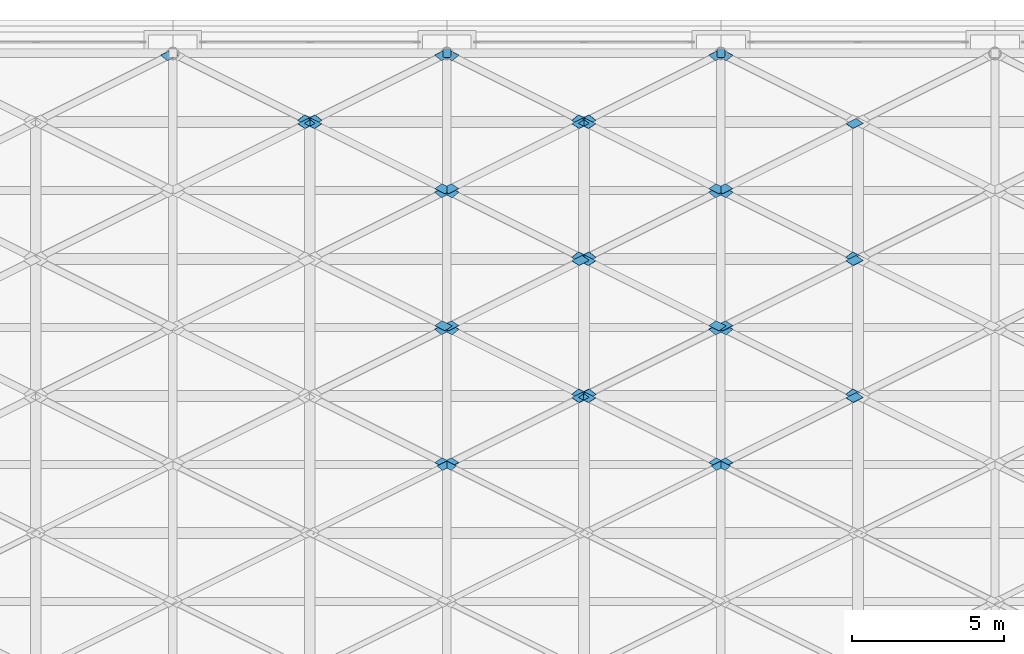
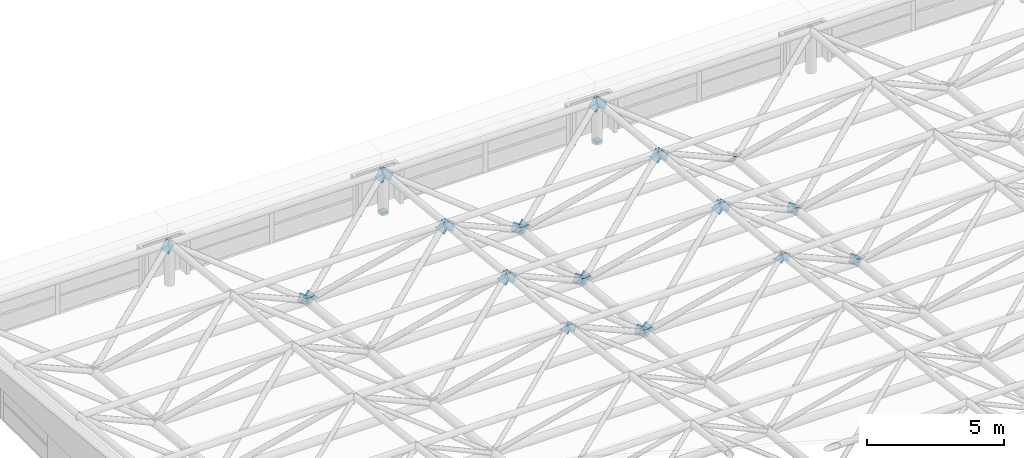
# One storey, part 38 of 53: 52 discrete accessories.
"""IFC4 building model written with IfcOpenShell, lengths in metres."""

from ifc_helpers import new_model, si_unit, direction, frame, origin, origin_2d, place, context, subcontext, project, spatial, polyline, rectangle, outline, extrude, material, layer, layer_set, type_object, element, save


model = new_model("IFC4")

# Units and contexts
model_context = context("Model", 3, precision=1e-05, world=origin(), true_north=direction((0.0, 1.0)))
body_context = subcontext(model_context, "Body", "Model", "MODEL_VIEW")
ifc_project = project(units=[si_unit("LENGTHUNIT", "METRE"), si_unit("AREAUNIT", "SQUARE_METRE"), si_unit("VOLUMEUNIT", "CUBIC_METRE"), si_unit("PLANEANGLEUNIT", "RADIAN"), si_unit("MASSUNIT", "GRAM", prefix="KILO")], contexts=[model_context])

# Site, building, storey
site_placement = place(None, origin())
site = spatial("IfcSite", under=ifc_project, at=site_placement, CompositionType="ELEMENT")
building_placement = place(site_placement, origin())
building = spatial("IfcBuilding", under=site, at=building_placement, Name="Aravalli Gate Trade Fair Centre", CompositionType="ELEMENT")
storey_placement = place(building_placement, frame((0.0, 0.0, 25.199951171875)))
storey = spatial("IfcBuildingStorey", under=building, at=storey_placement, Name="ROOF LEVEL 2", CompositionType="ELEMENT", Elevation=25.199951171875)

# Discrete accessories
ifc_material = material(Name="Steel E350", Category="steel")
discrete_accessory_type_1 = type_object("IfcDiscreteAccessoryType", Name="Bearing shoe sliding along the vault", PredefinedType="BRACKET", material=ifc_material)
for number, where, z_axis, x_axis, name in (
    (1, (24.0, 109.0, 0.0), (0.0, 0.0, 1.0), (1.0, 0.0, 0.0), "Bearing shoe H3 (sliding)"),
    (2, (33.0, 109.0, 0.0), (0.0, 0.0, 1.0), (1.0, 0.0, 0.0), "Bearing shoe H4 (sliding)"),
):
    element("IfcDiscreteAccessory", number, at=place(storey_placement, frame(where, z_axis=z_axis, x_axis=x_axis)), inside=storey, type_object=discrete_accessory_type_1, Name=name, PredefinedType="BRACKET", context=body_context, shape_type="SweptSolid", body=[
        extrude(rectangle(XDim=0.260009765625, YDim=0.260009765625, at=origin_2d()), origin(), (0.0, 0.0, 1.0), 0.10009765625),
    ])
ifc_layer_1 = layer(ifc_material, 0.011962890625)
ifc_layer_set_1 = layer_set([ifc_layer_1], Name="Steel E350")
discrete_accessory_type_2 = type_object("IfcDiscreteAccessoryType", Name="Gusset plate 291 x 291 x 12", PredefinedType="USERDEFINED", material=ifc_layer_set_1)
for number, where, z_axis, x_axis, name in (
    (3, (24.138916015625, 95.308349609375, 2.92724609375), (-6.9765199e-05, -0.771154883137, 0.636647580178), (-0.786484474244, 0.393242254842, 0.476238071536), "Gusset plate Space frame web diagonal D5C end A"),
    (4, (33.138916015625, 95.308349609375, 2.92724609375), (-6.9765199e-05, -0.771154883137, 0.636647580178), (-0.786484474244, 0.393242254842, 0.476238071536), "Gusset plate Space frame web diagonal D5C end A"),
):
    element("IfcDiscreteAccessory", number, at=place(storey_placement, frame(where, z_axis=z_axis, x_axis=x_axis)), inside=storey, type_object=discrete_accessory_type_2, Name=name, ObjectType="GUSSET PLATE", PredefinedType="USERDEFINED", context=body_context, shape_type="SweptSolid", body=[
        extrude(outline(polyline([(0.0, 0.0), (0.37064165383501635, 1.3877787807814457e-17), (0.3706783195979393, -0.29059144692340316), (0.00022867857401766278, -0.2904406632211646), (0.0, 0.0)])), origin(), (0.0, 0.0, -1.0), 0.011962890625),
    ])
for number, where, z_axis, x_axis, name in (
    (5, (23.681884765625, 95.453857421875, 3.103515625), (6.9765199e-05, -0.771154883137, 0.636647580178), (0.786233023991, 0.393446013556, 0.476484906794), "Gusset plate Space frame web diagonal D5D end A"),
    (6, (32.681884765625, 95.453857421875, 3.103515625), (6.9765199e-05, -0.771154883137, 0.636647580178), (0.786233023991, 0.393446013556, 0.476484906794), "Gusset plate Space frame web diagonal D5D end A"),
):
    element("IfcDiscreteAccessory", number, at=place(storey_placement, frame(where, z_axis=z_axis, x_axis=x_axis)), inside=storey, type_object=discrete_accessory_type_2, Name=name, ObjectType="GUSSET PLATE", PredefinedType="USERDEFINED", context=body_context, shape_type="SweptSolid", body=[
        extrude(outline(polyline([(0.0, 0.0), (0.37044967171058096, -2.7755575615628914e-17), (0.3702947268495056, -0.290591407927876), (-0.0003468962829482891, -0.29044054608337494), (0.0, 0.0)])), origin(), (0.0, 0.0, -1.0), 0.011962890625),
    ])
ifc_layer_2 = layer(ifc_material, 0.011962890625)
ifc_layer_set_2 = layer_set([ifc_layer_2], Name="Steel E350")
discrete_accessory_type_3 = type_object("IfcDiscreteAccessoryType", Name="Gusset plate 367 x 367 x 12", PredefinedType="USERDEFINED", material=ifc_layer_set_2)
discrete_accessory_1_placement = place(storey_placement, frame((24.155517578125, 95.721923828125, 2.84228515625), z_axis=(-5.6748583e-05, 0.820281851296, 0.571959510117), x_axis=(-0.752910033129, -0.376455016564, 0.539822287904)))
element("IfcDiscreteAccessory", 7, at=discrete_accessory_1_placement, inside=storey, type_object=discrete_accessory_type_3, Name="Gusset plate Space frame web diagonal D6A end A", ObjectType="GUSSET PLATE", PredefinedType="USERDEFINED", context=body_context, shape_type="SweptSolid", body=[
    extrude(outline(polyline([(0.0, 0.0), (0.44683397278152426, -2.7755575615628914e-17), (0.44699177701993154, 0.3666937395408909), (0.0001578042384072914, 0.3666937395408909), (0.0, 0.0)])), origin(), (0.0, 0.0, -1.0), 0.011962890625),
])
discrete_accessory_2_placement = place(storey_placement, frame((28.103271484375, 97.69580078125, 0.01318359375), z_axis=(-5.6748583e-05, 0.820281851296, 0.571959510117), x_axis=(0.752910033129, 0.376455016564, -0.539822287904)))
element("IfcDiscreteAccessory", 8, at=discrete_accessory_2_placement, inside=storey, type_object=discrete_accessory_type_3, Name="Gusset plate Space frame web diagonal D6A end B", ObjectType="GUSSET PLATE", PredefinedType="USERDEFINED", context=body_context, shape_type="SweptSolid", body=[
    extrude(outline(polyline([(0.0, 0.0), (0.44683397278152426, -2.7755575615628914e-17), (0.446676168543117, -0.36669373954089096), (-0.0001578042384072914, -0.3666937395408909), (0.0, 0.0)])), origin(), (0.0, 0.0, -1.0), 0.011962890625),
])
discrete_accessory_3_placement = place(storey_placement, frame((33.155517578125, 95.721923828125, 2.84228515625), z_axis=(-5.6748583e-05, 0.820281851296, 0.571959510117), x_axis=(-0.752910033129, -0.376455016564, 0.539822287904)))
element("IfcDiscreteAccessory", 9, at=discrete_accessory_3_placement, inside=storey, type_object=discrete_accessory_type_3, Name="Gusset plate Space frame web diagonal D6A end A", ObjectType="GUSSET PLATE", PredefinedType="USERDEFINED", context=body_context, shape_type="SweptSolid", body=[
    extrude(outline(polyline([(0.0, 0.0), (0.44683397278152426, -2.7755575615628914e-17), (0.44699177701993154, 0.3666937395408909), (0.0001578042384072914, 0.3666937395408909), (0.0, 0.0)])), origin(), (0.0, 0.0, -1.0), 0.011962890625),
])
discrete_accessory_4_placement = place(storey_placement, frame((37.103271484375, 97.69580078125, 0.01318359375), z_axis=(-5.6748583e-05, 0.820281851296, 0.571959510117), x_axis=(0.752910033129, 0.376455016564, -0.539822287904)))
element("IfcDiscreteAccessory", 10, at=discrete_accessory_4_placement, inside=storey, type_object=discrete_accessory_type_3, Name="Gusset plate Space frame web diagonal D6A end B", ObjectType="GUSSET PLATE", PredefinedType="USERDEFINED", context=body_context, shape_type="SweptSolid", body=[
    extrude(outline(polyline([(0.0, 0.0), (0.44683397278152426, -2.7755575615628914e-17), (0.446676168543117, -0.36669373954089096), (-0.0001578042384072914, -0.3666937395408909), (0.0, 0.0)])), origin(), (0.0, 0.0, -1.0), 0.011962890625),
])
discrete_accessory_5_placement = place(storey_placement, frame((24.155517578125, 100.221923828125, 2.392333984375), z_axis=(-4.9126691e-05, 0.820140995503, 0.572161467667), x_axis=(-0.752910034648, -0.376583216139, 0.539732860821)))
element("IfcDiscreteAccessory", 11, at=discrete_accessory_5_placement, inside=storey, type_object=discrete_accessory_type_3, Name="Gusset plate Space frame web diagonal D6A end A", ObjectType="GUSSET PLATE", PredefinedType="USERDEFINED", context=body_context, shape_type="SweptSolid", body=[
    extrude(outline(polyline([(0.0, 0.0), (0.4468339673229258, 0.0), (0.4468599899280901, 0.36654297340046177), (0.00015779332313807515, 0.366693732894023), (0.0, 0.0)])), origin(), (0.0, 0.0, -1.0), 0.011962890625),
])
discrete_accessory_6_placement = place(storey_placement, frame((28.103271484375, 102.19580078125, -0.436767578125), z_axis=(-4.9126691e-05, 0.820140995503, 0.572161467667), x_axis=(0.752910034648, 0.376583216139, -0.539732860821)))
element("IfcDiscreteAccessory", 12, at=discrete_accessory_6_placement, inside=storey, type_object=discrete_accessory_type_3, Name="Gusset plate Space frame web diagonal D6A end B", ObjectType="GUSSET PLATE", PredefinedType="USERDEFINED", context=body_context, shape_type="SweptSolid", body=[
    extrude(outline(polyline([(0.0, 0.0), (0.4468339673229258, 0.0), (0.44667617399978776, -0.366693732894023), (-2.6022605164321977e-05, -0.3665429734004617), (0.0, 0.0)])), origin(), (0.0, 0.0, -1.0), 0.011962890625),
])
discrete_accessory_7_placement = place(storey_placement, frame((33.155517578125, 100.221923828125, 2.392333984375), z_axis=(-4.9126691e-05, 0.820140995503, 0.572161467667), x_axis=(-0.752910034648, -0.376583216139, 0.539732860821)))
element("IfcDiscreteAccessory", 13, at=discrete_accessory_7_placement, inside=storey, type_object=discrete_accessory_type_3, Name="Gusset plate Space frame web diagonal D6A end A", ObjectType="GUSSET PLATE", PredefinedType="USERDEFINED", context=body_context, shape_type="SweptSolid", body=[
    extrude(outline(polyline([(0.0, 0.0), (0.4468339673229258, 0.0), (0.4468599899280901, 0.36654297340046177), (0.00015779332313807515, 0.366693732894023), (0.0, 0.0)])), origin(), (0.0, 0.0, -1.0), 0.011962890625),
])
discrete_accessory_8_placement = place(storey_placement, frame((37.103271484375, 102.19580078125, -0.436767578125), z_axis=(-4.9126691e-05, 0.820140995503, 0.572161467667), x_axis=(0.752910034648, 0.376583216139, -0.539732860821)))
element("IfcDiscreteAccessory", 14, at=discrete_accessory_8_placement, inside=storey, type_object=discrete_accessory_type_3, Name="Gusset plate Space frame web diagonal D6A end B", ObjectType="GUSSET PLATE", PredefinedType="USERDEFINED", context=body_context, shape_type="SweptSolid", body=[
    extrude(outline(polyline([(0.0, 0.0), (0.4468339673229258, 0.0), (0.44667617399978776, -0.366693732894023), (-2.6022605164321977e-05, -0.3665429734004617), (0.0, 0.0)])), origin(), (0.0, 0.0, -1.0), 0.011962890625),
])
discrete_accessory_9_placement = place(storey_placement, frame((19.103271484375, 106.69580078125, -0.886962890625), z_axis=(-0.000292195819, 0.820164189793, 0.572128146837), x_axis=(0.753132087854, 0.376566043927, -0.539434956975)))
element("IfcDiscreteAccessory", 15, at=discrete_accessory_9_placement, inside=storey, type_object=discrete_accessory_type_3, Name="Gusset plate Space frame web diagonal D6A end B", ObjectType="GUSSET PLATE", PredefinedType="USERDEFINED", context=body_context, shape_type="SweptSolid", body=[
    extrude(outline(polyline([(0.0, 0.0), (0.4467022275054028, 2.7755575615628914e-17), (0.4466682021894723, -0.366693771917302), (-3.402531593046931e-05, -0.366693771917302), (0.0, 0.0)])), origin(), (0.0, 0.0, -1.0), 0.011962890625),
])
discrete_accessory_10_placement = place(storey_placement, frame((24.155517578125, 104.721923828125, 1.9423828125), z_axis=(-0.000292195819, 0.820164189793, 0.572128146837), x_axis=(-0.753132087854, -0.376566043927, 0.539434956975)))
element("IfcDiscreteAccessory", 16, at=discrete_accessory_10_placement, inside=storey, type_object=discrete_accessory_type_3, Name="Gusset plate Space frame web diagonal D6A end A", ObjectType="GUSSET PLATE", PredefinedType="USERDEFINED", context=body_context, shape_type="SweptSolid", body=[
    extrude(outline(polyline([(0.0, 0.0), (0.4467022275054028, 2.7755575615628914e-17), (0.4467362528213333, 0.36669377191730207), (3.402531593046931e-05, 0.366693771917302), (0.0, 0.0)])), origin(), (0.0, 0.0, -1.0), 0.011962890625),
])
discrete_accessory_11_placement = place(storey_placement, frame((28.103271484375, 106.69580078125, -0.886962890625), z_axis=(-0.000292195819, 0.820164189793, 0.572128146837), x_axis=(0.753132087854, 0.376566043927, -0.539434956975)))
element("IfcDiscreteAccessory", 17, at=discrete_accessory_11_placement, inside=storey, type_object=discrete_accessory_type_3, Name="Gusset plate Space frame web diagonal D6A end B", ObjectType="GUSSET PLATE", PredefinedType="USERDEFINED", context=body_context, shape_type="SweptSolid", body=[
    extrude(outline(polyline([(0.0, 0.0), (0.4467022275054028, 2.7755575615628914e-17), (0.4466682021894723, -0.366693771917302), (-3.402531593046931e-05, -0.366693771917302), (0.0, 0.0)])), origin(), (0.0, 0.0, -1.0), 0.011962890625),
])
discrete_accessory_12_placement = place(storey_placement, frame((33.155517578125, 104.721923828125, 1.9423828125), z_axis=(-0.000292195819, 0.820164189793, 0.572128146837), x_axis=(-0.753132087854, -0.376566043927, 0.539434956975)))
element("IfcDiscreteAccessory", 18, at=discrete_accessory_12_placement, inside=storey, type_object=discrete_accessory_type_3, Name="Gusset plate Space frame web diagonal D6A end A", ObjectType="GUSSET PLATE", PredefinedType="USERDEFINED", context=body_context, shape_type="SweptSolid", body=[
    extrude(outline(polyline([(0.0, 0.0), (0.4467022275054028, 2.7755575615628914e-17), (0.4467362528213333, 0.36669377191730207), (3.402531593046931e-05, 0.366693771917302), (0.0, 0.0)])), origin(), (0.0, 0.0, -1.0), 0.011962890625),
])
discrete_accessory_13_placement = place(storey_placement, frame((37.103271484375, 106.69580078125, -0.886962890625), z_axis=(-0.000292195819, 0.820164189793, 0.572128146837), x_axis=(0.753132087854, 0.376566043927, -0.539434956975)))
element("IfcDiscreteAccessory", 19, at=discrete_accessory_13_placement, inside=storey, type_object=discrete_accessory_type_3, Name="Gusset plate Space frame web diagonal D6A end B", ObjectType="GUSSET PLATE", PredefinedType="USERDEFINED", context=body_context, shape_type="SweptSolid", body=[
    extrude(outline(polyline([(0.0, 0.0), (0.4467022275054028, 2.7755575615628914e-17), (0.4466682021894723, -0.366693771917302), (-3.402531593046931e-05, -0.366693771917302), (0.0, 0.0)])), origin(), (0.0, 0.0, -1.0), 0.011962890625),
])
for number, where, z_axis, x_axis, name in (
    (20, (23.603271484375, 95.56396484375, 3.06884765625), (5.6748583e-05, 0.820281851296, 0.571959510117), (0.752910033129, -0.376455016564, 0.539822287904), "Gusset plate Space frame web diagonal D6B end A"),
    (21, (32.603271484375, 95.56396484375, 3.06884765625), (5.6748583e-05, 0.820281851296, 0.571959510117), (0.752910033129, -0.376455016564, 0.539822287904), "Gusset plate Space frame web diagonal D6B end A"),
):
    element("IfcDiscreteAccessory", number, at=place(storey_placement, frame(where, z_axis=z_axis, x_axis=x_axis)), inside=storey, type_object=discrete_accessory_type_3, Name=name, ObjectType="GUSSET PLATE", PredefinedType="USERDEFINED", context=body_context, shape_type="SweptSolid", body=[
        extrude(outline(polyline([(0.0, 0.0), (0.44683397278152426, 2.7755575615628914e-17), (0.446676168543117, 0.36669373954089096), (-0.0001578042384072914, 0.3666937395408909), (0.0, 0.0)])), origin(), (0.0, 0.0, -1.0), 0.011962890625),
    ])
discrete_accessory_14_placement = place(storey_placement, frame((28.655517578125, 97.537841796875, 0.23974609375), z_axis=(5.6748583e-05, 0.820281851296, 0.571959510117), x_axis=(-0.752910033129, 0.376455016564, -0.539822287904)))
element("IfcDiscreteAccessory", 22, at=discrete_accessory_14_placement, inside=storey, type_object=discrete_accessory_type_3, Name="Gusset plate Space frame web diagonal D6B end B", ObjectType="GUSSET PLATE", PredefinedType="USERDEFINED", context=body_context, shape_type="SweptSolid", body=[
    extrude(outline(polyline([(0.0, 0.0), (0.44683397278152426, 2.7755575615628914e-17), (0.44699177701993154, -0.3666937395408909), (0.0001578042384072914, -0.3666937395408909), (0.0, 0.0)])), origin(), (0.0, 0.0, -1.0), 0.011962890625),
])
for number, where, z_axis, x_axis, name in (
    (23, (23.603271484375, 100.06396484375, 2.618896484375), (4.9126691e-05, 0.820140995503, 0.572161467667), (0.753132104741, -0.376437815746, 0.539524423623), "Gusset plate Space frame web diagonal D6B end A"),
    (24, (32.603271484375, 100.06396484375, 2.618896484375), (4.9126691e-05, 0.820140995503, 0.572161467667), (0.753132104741, -0.376437815746, 0.539524423623), "Gusset plate Space frame web diagonal D6B end A"),
):
    element("IfcDiscreteAccessory", number, at=place(storey_placement, frame(where, z_axis=z_axis, x_axis=x_axis)), inside=storey, type_object=discrete_accessory_type_3, Name=name, ObjectType="GUSSET PLATE", PredefinedType="USERDEFINED", context=body_context, shape_type="SweptSolid", body=[
        extrude(outline(polyline([(0.0, 0.0), (0.4467022220451944, 0.0), (0.44679990563841726, 0.3665429613078707), (-3.4036236763179684e-05, 0.3666937652647241), (0.0, 0.0)])), origin(), (0.0, 0.0, -1.0), 0.011962890625),
    ])
discrete_accessory_15_placement = place(storey_placement, frame((28.655517578125, 102.037841796875, -0.21044921875), z_axis=(4.9126691e-05, 0.820140995503, 0.572161467667), x_axis=(-0.753132104741, 0.376437815746, -0.539524423623)))
element("IfcDiscreteAccessory", 25, at=discrete_accessory_15_placement, inside=storey, type_object=discrete_accessory_type_3, Name="Gusset plate Space frame web diagonal D6B end B", ObjectType="GUSSET PLATE", PredefinedType="USERDEFINED", context=body_context, shape_type="SweptSolid", body=[
    extrude(outline(polyline([(0.0, 0.0), (0.4467022220451944, 0.0), (0.44673625828195757, -0.3666937652647241), (-9.768359322287479e-05, -0.3665429613078708), (0.0, 0.0)])), origin(), (0.0, 0.0, -1.0), 0.011962890625),
])
discrete_accessory_16_placement = place(storey_placement, frame((23.603271484375, 104.56396484375, 2.1689453125), z_axis=(0.000292195819, 0.820164189793, 0.572128146837), x_axis=(0.753132087854, -0.376566043927, 0.539434956975)))
element("IfcDiscreteAccessory", 26, at=discrete_accessory_16_placement, inside=storey, type_object=discrete_accessory_type_3, Name="Gusset plate Space frame web diagonal D6B end A", ObjectType="GUSSET PLATE", PredefinedType="USERDEFINED", context=body_context, shape_type="SweptSolid", body=[
    extrude(outline(polyline([(0.0, 0.0), (0.4467022275054028, -2.7755575615628914e-17), (0.4466682021894723, 0.366693771917302), (-3.402531593046931e-05, 0.366693771917302), (0.0, 0.0)])), origin(), (0.0, 0.0, -1.0), 0.011962890625),
])
discrete_accessory_17_placement = place(storey_placement, frame((19.655517578125, 106.537841796875, -0.660400390625), z_axis=(0.000292195819, 0.820164189793, 0.572128146837), x_axis=(-0.753132087854, 0.376566043927, -0.539434956975)))
element("IfcDiscreteAccessory", 27, at=discrete_accessory_17_placement, inside=storey, type_object=discrete_accessory_type_3, Name="Gusset plate Space frame web diagonal D6B end B", ObjectType="GUSSET PLATE", PredefinedType="USERDEFINED", context=body_context, shape_type="SweptSolid", body=[
    extrude(outline(polyline([(0.0, 0.0), (0.4467022275054028, -2.7755575615628914e-17), (0.4467362528213333, -0.36669377191730207), (3.402531593046931e-05, -0.366693771917302), (0.0, 0.0)])), origin(), (0.0, 0.0, -1.0), 0.011962890625),
])
discrete_accessory_18_placement = place(storey_placement, frame((32.603271484375, 104.56396484375, 2.1689453125), z_axis=(0.000292195819, 0.820164189793, 0.572128146837), x_axis=(0.753132087854, -0.376566043927, 0.539434956975)))
element("IfcDiscreteAccessory", 28, at=discrete_accessory_18_placement, inside=storey, type_object=discrete_accessory_type_3, Name="Gusset plate Space frame web diagonal D6B end A", ObjectType="GUSSET PLATE", PredefinedType="USERDEFINED", context=body_context, shape_type="SweptSolid", body=[
    extrude(outline(polyline([(0.0, 0.0), (0.4467022275054028, -2.7755575615628914e-17), (0.4466682021894723, 0.366693771917302), (-3.402531593046931e-05, 0.366693771917302), (0.0, 0.0)])), origin(), (0.0, 0.0, -1.0), 0.011962890625),
])
discrete_accessory_19_placement = place(storey_placement, frame((28.655517578125, 106.537841796875, -0.660400390625), z_axis=(0.000292195819, 0.820164189793, 0.572128146837), x_axis=(-0.753132087854, 0.376566043927, -0.539434956975)))
element("IfcDiscreteAccessory", 29, at=discrete_accessory_19_placement, inside=storey, type_object=discrete_accessory_type_3, Name="Gusset plate Space frame web diagonal D6B end B", ObjectType="GUSSET PLATE", PredefinedType="USERDEFINED", context=body_context, shape_type="SweptSolid", body=[
    extrude(outline(polyline([(0.0, 0.0), (0.4467022275054028, -2.7755575615628914e-17), (0.4467362528213333, -0.36669377191730207), (3.402531593046931e-05, -0.366693771917302), (0.0, 0.0)])), origin(), (0.0, 0.0, -1.0), 0.011962890625),
])
discrete_accessory_20_placement = place(storey_placement, frame((24.173095703125, 99.76123046875, 2.4150390625), z_axis=(-0.000106895173, -0.77673595722, 0.629826358082), x_axis=(-0.783044443413, 0.391795440284, 0.483050445204)))
element("IfcDiscreteAccessory", 30, at=discrete_accessory_20_placement, inside=storey, type_object=discrete_accessory_type_3, Name="Gusset plate Space frame web diagonal D6C end A", ObjectType="GUSSET PLATE", PredefinedType="USERDEFINED", context=body_context, shape_type="SweptSolid", body=[
    extrude(outline(polyline([(0.0, 0.0), (0.4467862821424865, 0.0), (0.4467086389724838, -0.36691841645657763), (-7.764317000273635e-05, -0.36691841645657763), (0.0, 0.0)])), origin(), (0.0, 0.0, -1.0), 0.011962890625),
])
discrete_accessory_21_placement = place(storey_placement, frame((28.0986328125, 97.798583984375, -0.005615234375), z_axis=(-0.000106895173, -0.77673595722, 0.629826358082), x_axis=(0.783044443413, -0.391795440284, -0.483050445204)))
element("IfcDiscreteAccessory", 31, at=discrete_accessory_21_placement, inside=storey, type_object=discrete_accessory_type_3, Name="Gusset plate Space frame web diagonal D6C end B", ObjectType="GUSSET PLATE", PredefinedType="USERDEFINED", context=body_context, shape_type="SweptSolid", body=[
    extrude(outline(polyline([(0.0, 0.0), (0.4467862821424865, 0.0), (0.4468639253124893, 0.3669184164565776), (7.764317000273635e-05, 0.36691841645657763), (0.0, 0.0)])), origin(), (0.0, 0.0, -1.0), 0.011962890625),
])
discrete_accessory_22_placement = place(storey_placement, frame((33.173095703125, 99.76123046875, 2.4150390625), z_axis=(-0.000106895173, -0.77673595722, 0.629826358082), x_axis=(-0.783044443413, 0.391795440284, 0.483050445204)))
element("IfcDiscreteAccessory", 32, at=discrete_accessory_22_placement, inside=storey, type_object=discrete_accessory_type_3, Name="Gusset plate Space frame web diagonal D6C end A", ObjectType="GUSSET PLATE", PredefinedType="USERDEFINED", context=body_context, shape_type="SweptSolid", body=[
    extrude(outline(polyline([(0.0, 0.0), (0.4467862821424865, 0.0), (0.4467086389724838, -0.36691841645657763), (-7.764317000273635e-05, -0.36691841645657763), (0.0, 0.0)])), origin(), (0.0, 0.0, -1.0), 0.011962890625),
])
discrete_accessory_23_placement = place(storey_placement, frame((37.0986328125, 97.798583984375, -0.005615234375), z_axis=(-0.000106895173, -0.77673595722, 0.629826358082), x_axis=(0.783044443413, -0.391795440284, -0.483050445204)))
element("IfcDiscreteAccessory", 33, at=discrete_accessory_23_placement, inside=storey, type_object=discrete_accessory_type_3, Name="Gusset plate Space frame web diagonal D6C end B", ObjectType="GUSSET PLATE", PredefinedType="USERDEFINED", context=body_context, shape_type="SweptSolid", body=[
    extrude(outline(polyline([(0.0, 0.0), (0.4467862821424865, 0.0), (0.4468639253124893, 0.3669184164565776), (7.764317000273635e-05, 0.36691841645657763), (0.0, 0.0)])), origin(), (0.0, 0.0, -1.0), 0.011962890625),
])
discrete_accessory_24_placement = place(storey_placement, frame((24.173095703125, 104.26123046875, 1.965087890625), z_axis=(-0.000106895173, -0.77673595722, 0.629826358082), x_axis=(-0.783044443413, 0.391795440284, 0.483050445204)))
element("IfcDiscreteAccessory", 34, at=discrete_accessory_24_placement, inside=storey, type_object=discrete_accessory_type_3, Name="Gusset plate Space frame web diagonal D6C end A", ObjectType="GUSSET PLATE", PredefinedType="USERDEFINED", context=body_context, shape_type="SweptSolid", body=[
    extrude(outline(polyline([(0.0, 0.0), (0.4467862821424865, 0.0), (0.4467086389724838, -0.36691841645657763), (-7.764317000273635e-05, -0.36691841645657763), (0.0, 0.0)])), origin(), (0.0, 0.0, -1.0), 0.011962890625),
])
discrete_accessory_25_placement = place(storey_placement, frame((28.0986328125, 102.298583984375, -0.45556640625), z_axis=(-0.000106895173, -0.77673595722, 0.629826358082), x_axis=(0.783044443413, -0.391795440284, -0.483050445204)))
element("IfcDiscreteAccessory", 35, at=discrete_accessory_25_placement, inside=storey, type_object=discrete_accessory_type_3, Name="Gusset plate Space frame web diagonal D6C end B", ObjectType="GUSSET PLATE", PredefinedType="USERDEFINED", context=body_context, shape_type="SweptSolid", body=[
    extrude(outline(polyline([(0.0, 0.0), (0.4467862821424865, 0.0), (0.4468639253124893, 0.3669184164565776), (7.764317000273635e-05, 0.36691841645657763), (0.0, 0.0)])), origin(), (0.0, 0.0, -1.0), 0.011962890625),
])
discrete_accessory_26_placement = place(storey_placement, frame((33.173095703125, 104.26123046875, 1.965087890625), z_axis=(-0.000106895173, -0.77673595722, 0.629826358082), x_axis=(-0.783044443413, 0.391795440284, 0.483050445204)))
element("IfcDiscreteAccessory", 36, at=discrete_accessory_26_placement, inside=storey, type_object=discrete_accessory_type_3, Name="Gusset plate Space frame web diagonal D6C end A", ObjectType="GUSSET PLATE", PredefinedType="USERDEFINED", context=body_context, shape_type="SweptSolid", body=[
    extrude(outline(polyline([(0.0, 0.0), (0.4467862821424865, 0.0), (0.4467086389724838, -0.36691841645657763), (-7.764317000273635e-05, -0.36691841645657763), (0.0, 0.0)])), origin(), (0.0, 0.0, -1.0), 0.011962890625),
])
for number, where, z_axis, x_axis, name in (
    (37, (37.0986328125, 102.298583984375, -0.45556640625), (-0.000106895173, -0.77673595722, 0.629826358082), (0.783044443413, -0.391795440284, -0.483050445204), "Gusset plate Space frame web diagonal D6C end B"),
    (38, (19.0986328125, 106.798583984375, -0.905517578125), (-0.000106895173, -0.77673595722, 0.629826358082), (0.783044443413, -0.391795440284, -0.483050445204), "Gusset plate Space frame web diagonal D6C end B"),
):
    element("IfcDiscreteAccessory", number, at=place(storey_placement, frame(where, z_axis=z_axis, x_axis=x_axis)), inside=storey, type_object=discrete_accessory_type_3, Name=name, ObjectType="GUSSET PLATE", PredefinedType="USERDEFINED", context=body_context, shape_type="SweptSolid", body=[
        extrude(outline(polyline([(0.0, 0.0), (0.4467862821424865, 0.0), (0.4468639253124893, 0.3669184164565776), (7.764317000273635e-05, 0.36691841645657763), (0.0, 0.0)])), origin(), (0.0, 0.0, -1.0), 0.011962890625),
    ])
discrete_accessory_27_placement = place(storey_placement, frame((24.173095703125, 108.76123046875, 1.51513671875), z_axis=(-0.000106895173, -0.77673595722, 0.629826358082), x_axis=(-0.783044443413, 0.391795440284, 0.483050445204)))
element("IfcDiscreteAccessory", 39, at=discrete_accessory_27_placement, inside=storey, type_object=discrete_accessory_type_3, Name="Gusset plate Space frame web diagonal D6C end A", ObjectType="GUSSET PLATE", PredefinedType="USERDEFINED", context=body_context, shape_type="SweptSolid", body=[
    extrude(outline(polyline([(0.0, 0.0), (0.4467862821424865, 0.0), (0.4467086389724838, -0.36691841645657763), (-7.764317000273635e-05, -0.36691841645657763), (0.0, 0.0)])), origin(), (0.0, 0.0, -1.0), 0.011962890625),
])
discrete_accessory_28_placement = place(storey_placement, frame((28.0986328125, 106.798583984375, -0.905517578125), z_axis=(-0.000106895173, -0.77673595722, 0.629826358082), x_axis=(0.783044443413, -0.391795440284, -0.483050445204)))
element("IfcDiscreteAccessory", 40, at=discrete_accessory_28_placement, inside=storey, type_object=discrete_accessory_type_3, Name="Gusset plate Space frame web diagonal D6C end B", ObjectType="GUSSET PLATE", PredefinedType="USERDEFINED", context=body_context, shape_type="SweptSolid", body=[
    extrude(outline(polyline([(0.0, 0.0), (0.4467862821424865, 0.0), (0.4468639253124893, 0.3669184164565776), (7.764317000273635e-05, 0.36691841645657763), (0.0, 0.0)])), origin(), (0.0, 0.0, -1.0), 0.011962890625),
])
discrete_accessory_29_placement = place(storey_placement, frame((33.173095703125, 108.76123046875, 1.51513671875), z_axis=(-0.000106895173, -0.77673595722, 0.629826358082), x_axis=(-0.783044443413, 0.391795440284, 0.483050445204)))
element("IfcDiscreteAccessory", 41, at=discrete_accessory_29_placement, inside=storey, type_object=discrete_accessory_type_3, Name="Gusset plate Space frame web diagonal D6C end A", ObjectType="GUSSET PLATE", PredefinedType="USERDEFINED", context=body_context, shape_type="SweptSolid", body=[
    extrude(outline(polyline([(0.0, 0.0), (0.4467862821424865, 0.0), (0.4467086389724838, -0.36691841645657763), (-7.764317000273635e-05, -0.36691841645657763), (0.0, 0.0)])), origin(), (0.0, 0.0, -1.0), 0.011962890625),
])
for number, where, z_axis, x_axis, name in (
    (42, (23.5986328125, 99.942138671875, 2.63818359375), (0.000106895173, -0.77673595722, 0.629826358082), (0.783044443413, 0.391795440284, 0.483050445204), "Gusset plate Space frame web diagonal D6D end A"),
    (43, (32.5986328125, 99.942138671875, 2.63818359375), (0.000106895173, -0.77673595722, 0.629826358082), (0.783044443413, 0.391795440284, 0.483050445204), "Gusset plate Space frame web diagonal D6D end A"),
):
    element("IfcDiscreteAccessory", number, at=place(storey_placement, frame(where, z_axis=z_axis, x_axis=x_axis)), inside=storey, type_object=discrete_accessory_type_3, Name=name, ObjectType="GUSSET PLATE", PredefinedType="USERDEFINED", context=body_context, shape_type="SweptSolid", body=[
        extrude(outline(polyline([(0.0, 0.0), (0.4467862821424865, 0.0), (0.4468639253124893, -0.3669184164565776), (7.764317000273635e-05, -0.36691841645657763), (0.0, 0.0)])), origin(), (0.0, 0.0, -1.0), 0.011962890625),
    ])
discrete_accessory_30_placement = place(storey_placement, frame((28.673095703125, 97.9794921875, 0.217529296875), z_axis=(0.000106895173, -0.77673595722, 0.629826358082), x_axis=(-0.783044443413, -0.391795440284, -0.483050445204)))
element("IfcDiscreteAccessory", 44, at=discrete_accessory_30_placement, inside=storey, type_object=discrete_accessory_type_3, Name="Gusset plate Space frame web diagonal D6D end B", ObjectType="GUSSET PLATE", PredefinedType="USERDEFINED", context=body_context, shape_type="SweptSolid", body=[
    extrude(outline(polyline([(0.0, 0.0), (0.4467862821424865, 0.0), (0.4467086389724838, 0.36691841645657763), (-7.764317000273635e-05, 0.36691841645657763), (0.0, 0.0)])), origin(), (0.0, 0.0, -1.0), 0.011962890625),
])
for number, where, z_axis, x_axis, name in (
    (45, (23.5986328125, 104.442138671875, 2.188232421875), (0.000106895173, -0.77673595722, 0.629826358082), (0.783044443413, 0.391795440284, 0.483050445204), "Gusset plate Space frame web diagonal D6D end A"),
    (46, (32.5986328125, 104.442138671875, 2.188232421875), (0.000106895173, -0.77673595722, 0.629826358082), (0.783044443413, 0.391795440284, 0.483050445204), "Gusset plate Space frame web diagonal D6D end A"),
):
    element("IfcDiscreteAccessory", number, at=place(storey_placement, frame(where, z_axis=z_axis, x_axis=x_axis)), inside=storey, type_object=discrete_accessory_type_3, Name=name, ObjectType="GUSSET PLATE", PredefinedType="USERDEFINED", context=body_context, shape_type="SweptSolid", body=[
        extrude(outline(polyline([(0.0, 0.0), (0.4467862821424865, 0.0), (0.4468639253124893, -0.3669184164565776), (7.764317000273635e-05, -0.36691841645657763), (0.0, 0.0)])), origin(), (0.0, 0.0, -1.0), 0.011962890625),
    ])
discrete_accessory_31_placement = place(storey_placement, frame((28.673095703125, 102.4794921875, -0.232421875), z_axis=(0.000106895173, -0.77673595722, 0.629826358082), x_axis=(-0.783044443413, -0.391795440284, -0.483050445204)))
element("IfcDiscreteAccessory", 47, at=discrete_accessory_31_placement, inside=storey, type_object=discrete_accessory_type_3, Name="Gusset plate Space frame web diagonal D6D end B", ObjectType="GUSSET PLATE", PredefinedType="USERDEFINED", context=body_context, shape_type="SweptSolid", body=[
    extrude(outline(polyline([(0.0, 0.0), (0.4467862821424865, 0.0), (0.4467086389724838, 0.36691841645657763), (-7.764317000273635e-05, 0.36691841645657763), (0.0, 0.0)])), origin(), (0.0, 0.0, -1.0), 0.011962890625),
])
for number, where, z_axis, x_axis, name in (
    (48, (14.5986328125, 108.942138671875, 1.73828125), (0.000106895173, -0.77673595722, 0.629826358082), (0.783044443413, 0.391795440284, 0.483050445204), "Gusset plate Space frame web diagonal D6D end A"),
    (49, (23.5986328125, 108.942138671875, 1.73828125), (0.000106895173, -0.77673595722, 0.629826358082), (0.783044443413, 0.391795440284, 0.483050445204), "Gusset plate Space frame web diagonal D6D end A"),
):
    element("IfcDiscreteAccessory", number, at=place(storey_placement, frame(where, z_axis=z_axis, x_axis=x_axis)), inside=storey, type_object=discrete_accessory_type_3, Name=name, ObjectType="GUSSET PLATE", PredefinedType="USERDEFINED", context=body_context, shape_type="SweptSolid", body=[
        extrude(outline(polyline([(0.0, 0.0), (0.4467862821424865, 0.0), (0.4468639253124893, -0.3669184164565776), (7.764317000273635e-05, -0.36691841645657763), (0.0, 0.0)])), origin(), (0.0, 0.0, -1.0), 0.011962890625),
    ])
discrete_accessory_32_placement = place(storey_placement, frame((19.673095703125, 106.9794921875, -0.682373046875), z_axis=(0.000106895173, -0.77673595722, 0.629826358082), x_axis=(-0.783044443413, -0.391795440284, -0.483050445204)))
element("IfcDiscreteAccessory", 50, at=discrete_accessory_32_placement, inside=storey, type_object=discrete_accessory_type_3, Name="Gusset plate Space frame web diagonal D6D end B", ObjectType="GUSSET PLATE", PredefinedType="USERDEFINED", context=body_context, shape_type="SweptSolid", body=[
    extrude(outline(polyline([(0.0, 0.0), (0.4467862821424865, 0.0), (0.4467086389724838, 0.36691841645657763), (-7.764317000273635e-05, 0.36691841645657763), (0.0, 0.0)])), origin(), (0.0, 0.0, -1.0), 0.011962890625),
])
discrete_accessory_33_placement = place(storey_placement, frame((32.5986328125, 108.942138671875, 1.73828125), z_axis=(0.000106895173, -0.77673595722, 0.629826358082), x_axis=(0.783044443413, 0.391795440284, 0.483050445204)))
element("IfcDiscreteAccessory", 51, at=discrete_accessory_33_placement, inside=storey, type_object=discrete_accessory_type_3, Name="Gusset plate Space frame web diagonal D6D end A", ObjectType="GUSSET PLATE", PredefinedType="USERDEFINED", context=body_context, shape_type="SweptSolid", body=[
    extrude(outline(polyline([(0.0, 0.0), (0.4467862821424865, 0.0), (0.4468639253124893, -0.3669184164565776), (7.764317000273635e-05, -0.36691841645657763), (0.0, 0.0)])), origin(), (0.0, 0.0, -1.0), 0.011962890625),
])
discrete_accessory_34_placement = place(storey_placement, frame((28.673095703125, 106.9794921875, -0.682373046875), z_axis=(0.000106895173, -0.77673595722, 0.629826358082), x_axis=(-0.783044443413, -0.391795440284, -0.483050445204)))
element("IfcDiscreteAccessory", 52, at=discrete_accessory_34_placement, inside=storey, type_object=discrete_accessory_type_3, Name="Gusset plate Space frame web diagonal D6D end B", ObjectType="GUSSET PLATE", PredefinedType="USERDEFINED", context=body_context, shape_type="SweptSolid", body=[
    extrude(outline(polyline([(0.0, 0.0), (0.4467862821424865, 0.0), (0.4467086389724838, 0.36691841645657763), (-7.764317000273635e-05, 0.36691841645657763), (0.0, 0.0)])), origin(), (0.0, 0.0, -1.0), 0.011962890625),
])

save(model, "model.ifc")
